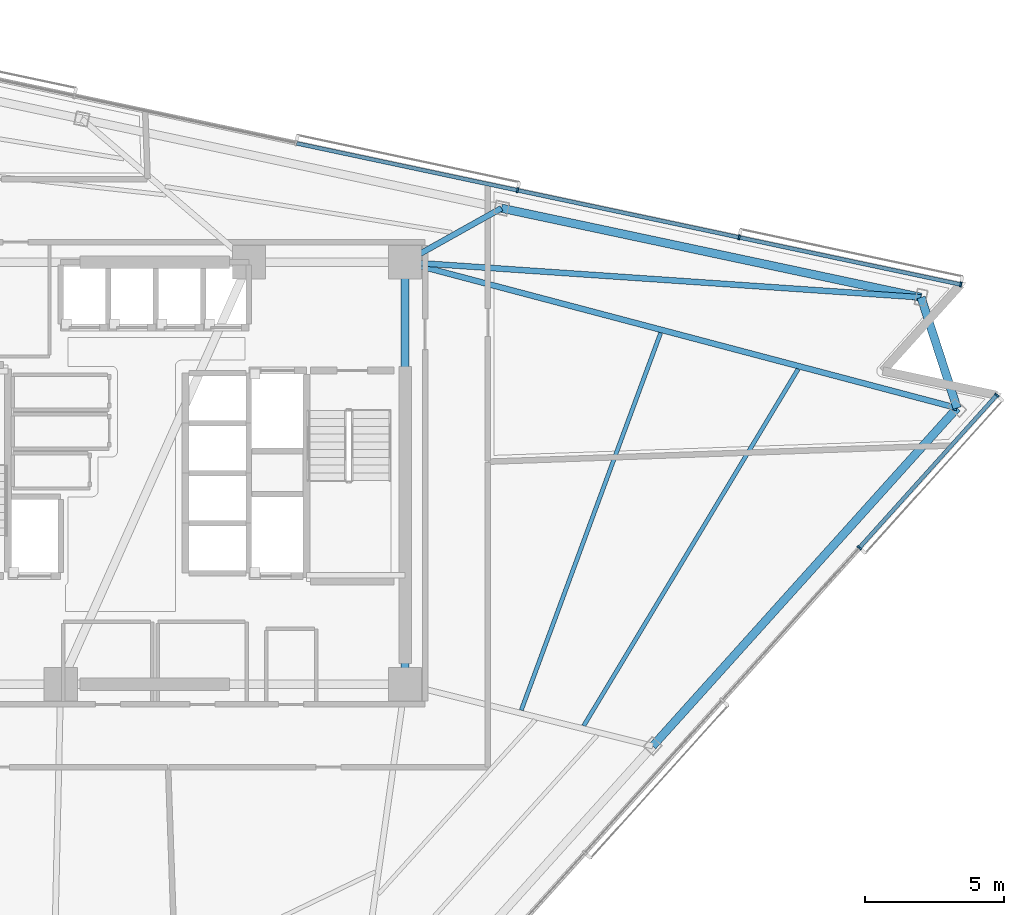
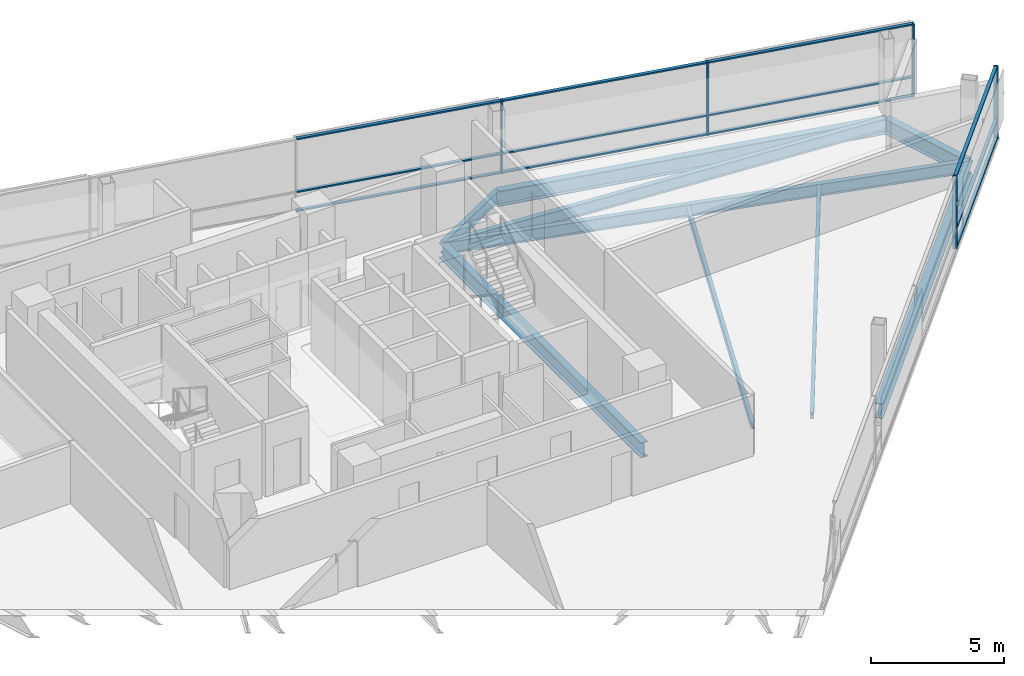
# One storey, part 8 of 17: 17 members, 9 beams, 2 elements without a shape of their own.
"""IFC4 building model written with IfcOpenShell, lengths in metres."""

from ifc_helpers import new_model, si_unit, direction, frame, origin, origin_2d, place, context, subcontext, project, spatial, rectangle, i_section, extrude, material, layer, layer_set, material_profile, profile_set, type_object, element, aggregate, save


model = new_model("IFC4")

# Units and contexts
model_context = context("Model", 3, precision=1e-05, world=origin(), true_north=direction((0.0, 1.0)))
body_context = subcontext(model_context, "Body", "Model", "MODEL_VIEW")
ifc_project = project(units=[si_unit("LENGTHUNIT", "METRE"), si_unit("AREAUNIT", "SQUARE_METRE"), si_unit("VOLUMEUNIT", "CUBIC_METRE"), si_unit("PLANEANGLEUNIT", "RADIAN"), si_unit("MASSUNIT", "GRAM", prefix="KILO")], contexts=[model_context])

# Site, building, storey
site_placement = place(None, origin())
site = spatial("IfcSite", under=ifc_project, at=site_placement, CompositionType="ELEMENT")
building_placement = place(site_placement, origin())
building = spatial("IfcBuilding", under=site, at=building_placement, Name="Tharavind Bronze Gate", CompositionType="ELEMENT")
storey_placement = place(building_placement, frame((0.0, 0.0, 218.449951171875)))
storey = spatial("IfcBuildingStorey", under=building, at=storey_placement, Name="L56", CompositionType="ELEMENT", Elevation=218.449951171875)

# Curtain wall, members
ifc_material_1 = material(Name="Anodised Bronze Aluminium", Category="aluminium")
ifc_layer = layer(ifc_material_1, 0.219970703125)
ifc_layer_set = layer_set([ifc_layer], Name="Anodised Bronze Aluminium")
curtain_wall_type = type_object("IfcCurtainWallType", Name="UNITISED CURTAIN WALL MID OFFICE", PredefinedType="USERDEFINED", material=ifc_layer_set)
curtain_wall_1_placement = place(storey_placement, origin())
curtain_wall_1 = element("IfcCurtainWall", 1, at=curtain_wall_1_placement, inside=storey, type_object=curtain_wall_type, Name="L56 unitised curtain wall mid office CW-L56-S2", ObjectType="UNITISED CURTAIN WALL", PredefinedType="USERDEFINED")
member_type_1 = type_object("IfcMemberType", Name="CURTAIN WALL BRONZE MULLION 65X180", PredefinedType="MULLION", material=ifc_material_1)
member_1_placement = place(storey_placement, frame((25.2548828125, -2.680908203125, 0.0), z_axis=(0.0, 0.0, 1.0), x_axis=(0.669130606359, 0.743144825477, 0.0)))
member_1 = element("IfcMember", 2, at=member_1_placement, type_object=member_type_1, Name="CW-L56-S2 mullion 7", PredefinedType="MULLION", context=body_context, shape_type="SweptSolid", body=[
    extrude(rectangle(XDim=0.06494140625, YDim=0.179931640625, at=origin_2d()), origin(), (0.0, 0.0, 1.0), 3.360107421875),
])
member_2_placement = place(storey_placement, frame((30.199462890625, 2.810546875, 0.0), z_axis=(0.0, 0.0, 1.0), x_axis=(0.669130606359, 0.743144825477, 0.0)))
member_2 = element("IfcMember", 3, at=member_2_placement, type_object=member_type_1, Name="CW-L56-S2 mullion 8", PredefinedType="MULLION", context=body_context, shape_type="SweptSolid", body=[
    extrude(rectangle(XDim=0.06494140625, YDim=0.179931640625, at=origin_2d()), origin(), (0.0, 0.0, 1.0), 3.360107421875),
])

curtain_wall_2_placement = place(storey_placement, origin())
curtain_wall_2 = element("IfcCurtainWall", 4, at=curtain_wall_2_placement, inside=storey, type_object=curtain_wall_type, Name="L56 unitised curtain wall mid office CW-L56-S3", ObjectType="UNITISED CURTAIN WALL", PredefinedType="USERDEFINED")
member_3_placement = place(storey_placement, frame((28.9052734375, 6.793701171875, 0.0), z_axis=(0.0, 0.0, 1.0), x_axis=(-0.978147600734, 0.207911690818, 0.0)))
member_3 = element("IfcMember", 5, at=member_3_placement, type_object=member_type_1, Name="CW-L56-S3 mullion 1", PredefinedType="MULLION", context=body_context, shape_type="SweptSolid", body=[
    extrude(rectangle(XDim=0.06494140625, YDim=0.179931640625, at=origin_2d()), origin(), (0.0, 0.0, 1.0), 3.360107421875),
])
member_4_placement = place(storey_placement, frame((20.927734375, 8.4892578125, 0.0), z_axis=(0.0, 0.0, 1.0), x_axis=(-0.978147600734, 0.207911690818, 0.0)))
member_4 = element("IfcMember", 6, at=member_4_placement, type_object=member_type_1, Name="CW-L56-S3 mullion 2", PredefinedType="MULLION", context=body_context, shape_type="SweptSolid", body=[
    extrude(rectangle(XDim=0.06494140625, YDim=0.179931640625, at=origin_2d()), origin(), (0.0, 0.0, 1.0), 3.360107421875),
])
member_5_placement = place(storey_placement, frame((12.9501953125, 10.184814453125, 0.0), z_axis=(0.0, 0.0, 1.0), x_axis=(-0.978147600734, 0.207911690818, 0.0)))
member_5 = element("IfcMember", 7, at=member_5_placement, type_object=member_type_1, Name="CW-L56-S3 mullion 3", PredefinedType="MULLION", context=body_context, shape_type="SweptSolid", body=[
    extrude(rectangle(XDim=0.06494140625, YDim=0.179931640625, at=origin_2d()), origin(), (0.0, 0.0, 1.0), 3.360107421875),
])

# Member
member_type_2 = type_object("IfcMemberType", Name="CURTAIN WALL BRONZE TRANSOM 65X140", PredefinedType="USERDEFINED", material=ifc_material_1)
member_6_placement = place(storey_placement, frame((27.72705078125, 0.06494140625, 0.0), z_axis=(0.0, 0.0, 1.0), x_axis=(0.669130606359, 0.743144825477, 0.0)))
member_6 = element("IfcMember", 8, at=member_6_placement, type_object=member_type_2, Name="CW-L56-S2 transom TB7", ObjectType="TRANSOM", PredefinedType="USERDEFINED", context=body_context, shape_type="SweptSolid", body=[
    extrude(rectangle(XDim=7.33642578125, YDim=0.139892578125, at=origin_2d()), origin(), (0.0, 0.0, 1.0), 0.06494140625),
])

member_7_placement = place(storey_placement, frame((27.72705078125, 0.06494140625, 0.86767578125), z_axis=(0.0, 0.0, 1.0), x_axis=(0.669130606359, 0.743144825477, 0.0)))
member_7 = element("IfcMember", 9, at=member_7_placement, type_object=member_type_2, Name="CW-L56-S2 transom TS7", ObjectType="TRANSOM", PredefinedType="USERDEFINED", context=body_context, shape_type="SweptSolid", body=[
    extrude(rectangle(XDim=7.33642578125, YDim=0.139892578125, at=origin_2d()), origin(), (0.0, 0.0, 1.0), 0.06494140625),
])

member_8_placement = place(storey_placement, frame((27.72705078125, 0.06494140625, 3.295166015625), z_axis=(0.0, 0.0, 1.0), x_axis=(0.669130606359, 0.743144825477, 0.0)))
member_8 = element("IfcMember", 10, at=member_8_placement, type_object=member_type_2, Name="CW-L56-S2 transom TT7", ObjectType="TRANSOM", PredefinedType="USERDEFINED", context=body_context, shape_type="SweptSolid", body=[
    extrude(rectangle(XDim=7.33642578125, YDim=0.139892578125, at=origin_2d()), origin(), (0.0, 0.0, 1.0), 0.06494140625),
])

aggregate(curtain_wall_1, [member_1, member_2, member_6, member_7, member_8])

member_9_placement = place(storey_placement, frame((24.91650390625, 7.641357421875, 0.0), z_axis=(0.0, 0.0, 1.0), x_axis=(-0.978147600734, 0.207911690818, 0.0)))
member_9 = element("IfcMember", 11, at=member_9_placement, type_object=member_type_2, Name="CW-L56-S3 transom TB1", ObjectType="TRANSOM", PredefinedType="USERDEFINED", context=body_context, shape_type="SweptSolid", body=[
    extrude(rectangle(XDim=8.102783203125, YDim=0.139892578125, at=origin_2d()), origin(), (0.0, 0.0, 1.0), 0.06494140625),
])

member_10_placement = place(storey_placement, frame((24.91650390625, 7.641357421875, 0.86767578125), z_axis=(0.0, 0.0, 1.0), x_axis=(-0.978147600734, 0.207911690818, 0.0)))
member_10 = element("IfcMember", 12, at=member_10_placement, type_object=member_type_2, Name="CW-L56-S3 transom TS1", ObjectType="TRANSOM", PredefinedType="USERDEFINED", context=body_context, shape_type="SweptSolid", body=[
    extrude(rectangle(XDim=8.102783203125, YDim=0.139892578125, at=origin_2d()), origin(), (0.0, 0.0, 1.0), 0.06494140625),
])

member_11_placement = place(storey_placement, frame((24.91650390625, 7.641357421875, 3.295166015625), z_axis=(0.0, 0.0, 1.0), x_axis=(-0.978147600734, 0.207911690818, 0.0)))
member_11 = element("IfcMember", 13, at=member_11_placement, type_object=member_type_2, Name="CW-L56-S3 transom TT1", ObjectType="TRANSOM", PredefinedType="USERDEFINED", context=body_context, shape_type="SweptSolid", body=[
    extrude(rectangle(XDim=8.102783203125, YDim=0.139892578125, at=origin_2d()), origin(), (0.0, 0.0, 1.0), 0.06494140625),
])

member_12_placement = place(storey_placement, frame((16.93896484375, 9.337158203125, 0.0), z_axis=(0.0, 0.0, 1.0), x_axis=(-0.978147600734, 0.207911690818, 0.0)))
member_12 = element("IfcMember", 14, at=member_12_placement, type_object=member_type_2, Name="CW-L56-S3 transom TB2", ObjectType="TRANSOM", PredefinedType="USERDEFINED", context=body_context, shape_type="SweptSolid", body=[
    extrude(rectangle(XDim=8.102783203125, YDim=0.139892578125, at=origin_2d()), origin(), (0.0, 0.0, 1.0), 0.06494140625),
])

member_13_placement = place(storey_placement, frame((16.93896484375, 9.337158203125, 0.86767578125), z_axis=(0.0, 0.0, 1.0), x_axis=(-0.978147600734, 0.207911690818, 0.0)))
member_13 = element("IfcMember", 15, at=member_13_placement, type_object=member_type_2, Name="CW-L56-S3 transom TS2", ObjectType="TRANSOM", PredefinedType="USERDEFINED", context=body_context, shape_type="SweptSolid", body=[
    extrude(rectangle(XDim=8.102783203125, YDim=0.139892578125, at=origin_2d()), origin(), (0.0, 0.0, 1.0), 0.06494140625),
])

member_14_placement = place(storey_placement, frame((16.93896484375, 9.337158203125, 3.295166015625), z_axis=(0.0, 0.0, 1.0), x_axis=(-0.978147600734, 0.207911690818, 0.0)))
member_14 = element("IfcMember", 16, at=member_14_placement, type_object=member_type_2, Name="CW-L56-S3 transom TT2", ObjectType="TRANSOM", PredefinedType="USERDEFINED", context=body_context, shape_type="SweptSolid", body=[
    extrude(rectangle(XDim=8.102783203125, YDim=0.139892578125, at=origin_2d()), origin(), (0.0, 0.0, 1.0), 0.06494140625),
])

member_15_placement = place(storey_placement, frame((8.96142578125, 11.03271484375, 0.0), z_axis=(0.0, 0.0, 1.0), x_axis=(-0.978147600734, 0.207911690818, 0.0)))
member_15 = element("IfcMember", 17, at=member_15_placement, type_object=member_type_2, Name="CW-L56-S3 transom TB3", ObjectType="TRANSOM", PredefinedType="USERDEFINED", context=body_context, shape_type="SweptSolid", body=[
    extrude(rectangle(XDim=8.102783203125, YDim=0.139892578125, at=origin_2d()), origin(), (0.0, 0.0, 1.0), 0.06494140625),
])

member_16_placement = place(storey_placement, frame((8.96142578125, 11.03271484375, 0.86767578125), z_axis=(0.0, 0.0, 1.0), x_axis=(-0.978147600734, 0.207911690818, 0.0)))
member_16 = element("IfcMember", 18, at=member_16_placement, type_object=member_type_2, Name="CW-L56-S3 transom TS3", ObjectType="TRANSOM", PredefinedType="USERDEFINED", context=body_context, shape_type="SweptSolid", body=[
    extrude(rectangle(XDim=8.102783203125, YDim=0.139892578125, at=origin_2d()), origin(), (0.0, 0.0, 1.0), 0.06494140625),
])

member_17_placement = place(storey_placement, frame((8.96142578125, 11.03271484375, 3.295166015625), z_axis=(0.0, 0.0, 1.0), x_axis=(-0.978147600734, 0.207911690818, 0.0)))
member_17 = element("IfcMember", 19, at=member_17_placement, type_object=member_type_2, Name="CW-L56-S3 transom TT3", ObjectType="TRANSOM", PredefinedType="USERDEFINED", context=body_context, shape_type="SweptSolid", body=[
    extrude(rectangle(XDim=8.102783203125, YDim=0.139892578125, at=origin_2d()), origin(), (0.0, 0.0, 1.0), 0.06494140625),
])

aggregate(curtain_wall_2, [member_3, member_4, member_5, member_9, member_10, member_11, member_12, member_13, member_14, member_15, member_16, member_17])

# Beams
ifc_material_2 = material(Name="Steel S355", Category="steel")
ifc_material_profile_1 = material_profile(ifc_material_2, i_section(OverallWidth=0.2099609375, OverallDepth=0.550048828125, WebThickness=0.010986328125, FlangeThickness=0.01708984375, at=origin_2d()), Name="IPE550")
ifc_profile_set_1 = profile_set([ifc_material_profile_1], Name="Steel S355")
beam_type_1 = type_object("IfcBeamType", Name="PRIMARY GIRDER IPE550", PredefinedType="USERDEFINED", material=ifc_profile_set_1)
beam_1_placement = place(storey_placement, frame((28.772705078125, 2.34716796875, -0.454833984375), z_axis=(-0.966795643793, 0.255550744749, 0.0), x_axis=(-0.255550744749, -0.966795643793, 0.0)))
element("IfcBeam", 20, at=beam_1_placement, inside=storey, type_object=beam_type_1, Name="L56 primary girder ipe550 BM-L56-RAD08", ObjectType="GIRDER", PredefinedType="USERDEFINED", context=body_context, shape_type="SweptSolid", body=[
    extrude(i_section(OverallWidth=0.2099609375, OverallDepth=0.550048828125, WebThickness=0.010986328125, FlangeThickness=0.01708984375, at=origin_2d()), origin(), (0.0, 0.0, 1.0), 20.555419921875),
])
beam_2_placement = place(storey_placement, frame((27.478515625, 6.330078125, -0.454833984375), z_axis=(-0.997671665482, 0.068200057871, 0.0), x_axis=(-0.068200057871, -0.997671665482, 0.0)))
element("IfcBeam", 21, at=beam_2_placement, inside=storey, type_object=beam_type_1, Name="L56 primary girder ipe550 BM-L56-RAD09", ObjectType="GIRDER", PredefinedType="USERDEFINED", context=body_context, shape_type="SweptSolid", body=[
    extrude(i_section(OverallWidth=0.2099609375, OverallDepth=0.550048828125, WebThickness=0.010986328125, FlangeThickness=0.01708984375, at=origin_2d()), origin(), (0.0, 0.0, 1.0), 18.6220703125),
])
beam_3_placement = place(storey_placement, frame((12.370849609375, 9.54150390625, -0.454833984375), z_axis=(-0.872755044117, -0.488158409708, 0.0), x_axis=(0.488158409708, -0.872755044117, 0.0)))
element("IfcBeam", 22, at=beam_3_placement, inside=storey, type_object=beam_type_1, Name="L56 primary girder ipe550 BM-L56-RAD10", ObjectType="GIRDER", PredefinedType="USERDEFINED", context=body_context, shape_type="SweptSolid", body=[
    extrude(i_section(OverallWidth=0.2099609375, OverallDepth=0.550048828125, WebThickness=0.010986328125, FlangeThickness=0.01708984375, at=origin_2d()), origin(), (0.0, 0.0, 1.0), 3.97705078125),
])
ifc_material_profile_2 = material_profile(ifc_material_2, i_section(OverallWidth=0.300048828125, OverallDepth=0.699951171875, WebThickness=0.01708984375, FlangeThickness=0.031982421875, at=origin_2d()), Name="HE700B")
ifc_profile_set_2 = profile_set([ifc_material_profile_2], Name="Steel S355")
beam_type_2 = type_object("IfcBeamType", Name="RING GIRDER HE700B", PredefinedType="USERDEFINED", material=ifc_profile_set_2)
beam_4_placement = place(storey_placement, frame((8.89990234375, -7.60009765625, -0.530029296875), z_axis=(0.0, 1.0, 0.0), x_axis=(-1.0, 0.0, 0.0)))
element("IfcBeam", 23, at=beam_4_placement, inside=storey, type_object=beam_type_2, Name="L56 ring girder he700b BM-L56-CR3", ObjectType="GIRDER", PredefinedType="USERDEFINED", context=body_context, shape_type="SweptSolid", body=[
    extrude(i_section(OverallWidth=0.300048828125, OverallDepth=0.699951171875, WebThickness=0.01708984375, FlangeThickness=0.031982421875, at=origin_2d()), origin(), (0.0, 0.0, 1.0), 15.2001953125),
])
beam_5_placement = place(storey_placement, frame((17.815185546875, -9.82275390625, -0.530029296875), z_axis=(0.669119566961, 0.743154765248, 0.0), x_axis=(-0.743154765248, 0.669119566961, 0.0)))
element("IfcBeam", 24, at=beam_5_placement, inside=storey, type_object=beam_type_2, Name="L56 ring girder he700b BM-L56-PRG07", ObjectType="GIRDER", PredefinedType="USERDEFINED", context=body_context, shape_type="SweptSolid", body=[
    extrude(i_section(OverallWidth=0.300048828125, OverallDepth=0.699951171875, WebThickness=0.01708984375, FlangeThickness=0.031982421875, at=origin_2d()), origin(), (0.0, 0.0, 1.0), 16.3759765625),
])
beam_6_placement = place(storey_placement, frame((28.772705078125, 2.34716796875, -0.530029296875), z_axis=(-0.309030708092, 0.951052060329, 0.0), x_axis=(-0.951052060329, -0.309030708092, 0.0)))
element("IfcBeam", 25, at=beam_6_placement, inside=storey, type_object=beam_type_2, Name="L56 ring girder he700b BM-L56-PRG08", ObjectType="GIRDER", PredefinedType="USERDEFINED", context=body_context, shape_type="SweptSolid", body=[
    extrude(i_section(OverallWidth=0.300048828125, OverallDepth=0.699951171875, WebThickness=0.01708984375, FlangeThickness=0.031982421875, at=origin_2d()), origin(), (0.0, 0.0, 1.0), 4.18798828125),
])
beam_7_placement = place(storey_placement, frame((27.478515625, 6.330078125, -0.530029296875), z_axis=(-0.978145069448, 0.207923599223, 0.0), x_axis=(-0.207923599223, -0.978145069448, 0.0)))
element("IfcBeam", 26, at=beam_7_placement, inside=storey, type_object=beam_type_2, Name="L56 ring girder he700b BM-L56-PRG09", ObjectType="GIRDER", PredefinedType="USERDEFINED", context=body_context, shape_type="SweptSolid", body=[
    extrude(i_section(OverallWidth=0.300048828125, OverallDepth=0.699951171875, WebThickness=0.01708984375, FlangeThickness=0.031982421875, at=origin_2d()), origin(), (0.0, 0.0, 1.0), 15.4453125),
])
ifc_material_profile_3 = material_profile(ifc_material_2, i_section(OverallWidth=0.14990234375, OverallDepth=0.300048828125, WebThickness=0.007080078125, FlangeThickness=0.0107421875, at=origin_2d()), Name="IPE300")
ifc_profile_set_3 = profile_set([ifc_material_profile_3], Name="Steel S355")
beam_type_3 = type_object("IfcBeamType", Name="SECONDARY FLOOR JOIST IPE300", PredefinedType="JOIST", material=ifc_profile_set_3)
beam_8_placement = place(storey_placement, frame((13.08349609375, -8.53076171875, -0.329833984375), z_axis=(0.346563730463, 0.938026428587, 0.0), x_axis=(-0.938026428587, 0.346563730463, 0.0)))
element("IfcBeam", 27, at=beam_8_placement, inside=storey, type_object=beam_type_3, Name="L56 secondary floor joist ipe300 BM-L56-JSTA07", PredefinedType="JOIST", context=body_context, shape_type="SweptSolid", body=[
    extrude(i_section(OverallWidth=0.14990234375, OverallDepth=0.300048828125, WebThickness=0.007080078125, FlangeThickness=0.0107421875, at=origin_2d()), origin(), (0.0, 0.0, 1.0), 14.48291015625),
])
beam_9_placement = place(storey_placement, frame((15.3330078125, -9.091796875, -0.329833984375), z_axis=(0.515205011559, 0.857066972917, 0.0), x_axis=(-0.857066972917, 0.515205011559, 0.0)))
element("IfcBeam", 28, at=beam_9_placement, inside=storey, type_object=beam_type_3, Name="L56 secondary floor joist ipe300 BM-L56-JSTB07", PredefinedType="JOIST", context=body_context, shape_type="SweptSolid", body=[
    extrude(i_section(OverallWidth=0.14990234375, OverallDepth=0.300048828125, WebThickness=0.007080078125, FlangeThickness=0.0107421875, at=origin_2d()), origin(), (0.0, 0.0, 1.0), 14.97998046875),
])

save(model, "model.ifc")
